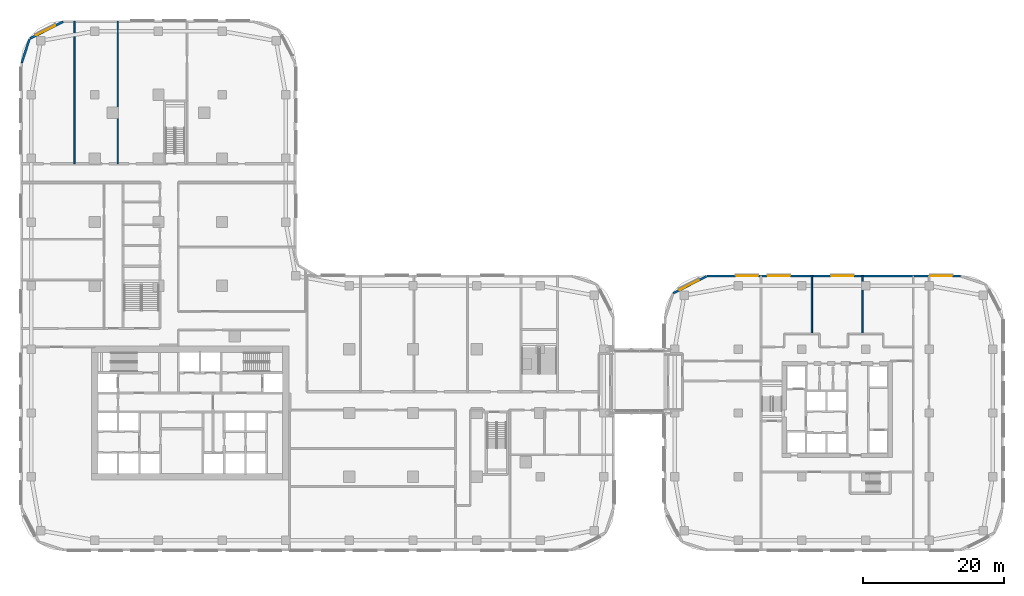
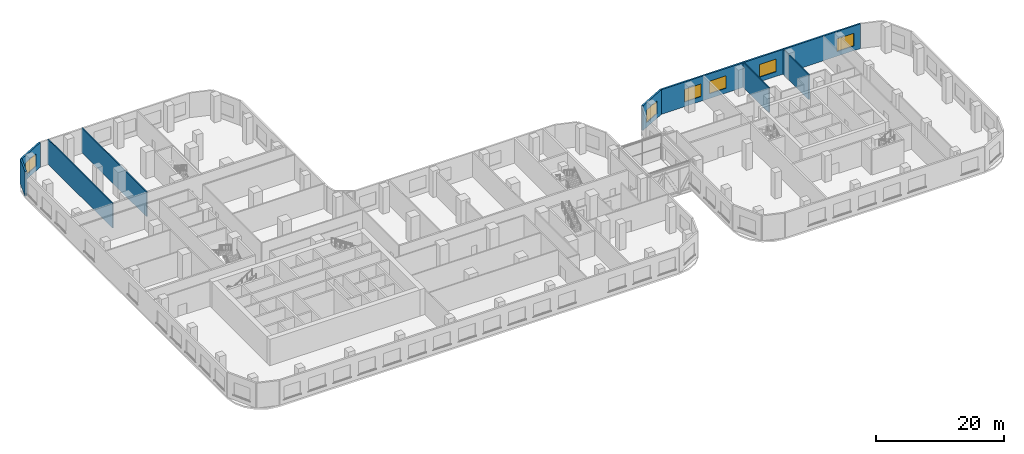
# One storey, part 14 of 35: 8 walls, 6 windows, 6 openings.
"""IFC4 building model written with IfcOpenShell, lengths in metres."""

from ifc_helpers import new_model, si_unit, direction, frame, frame_2d, origin, place, context, subcontext, project, spatial, rectangle, extrude, material, layer, layer_set, type_object, element, fill, save


model = new_model("IFC4")

# Units and contexts
model_context = context("Model", 3, precision=1e-05, world=origin(), true_north=direction((0.0, 1.0)))
body_context = subcontext(model_context, "Body", "Model", "MODEL_VIEW")
ifc_project = project(units=[si_unit("LENGTHUNIT", "METRE"), si_unit("AREAUNIT", "SQUARE_METRE"), si_unit("VOLUMEUNIT", "CUBIC_METRE"), si_unit("PLANEANGLEUNIT", "RADIAN"), si_unit("MASSUNIT", "GRAM", prefix="KILO")], contexts=[model_context])

# Site, building, storey
site_placement = place(None, origin())
site = spatial("IfcSite", under=ifc_project, at=site_placement, CompositionType="ELEMENT")
building_placement = place(site_placement, origin())
building = spatial("IfcBuilding", under=site, at=building_placement, Name="Ogive Portal Towers", CompositionType="ELEMENT")
storey_placement = place(building_placement, frame((0.0, 0.0, 18.5)))
storey = spatial("IfcBuildingStorey", under=building, at=storey_placement, Name="L03", CompositionType="ELEMENT", Elevation=18.5)

# Wall, opening, window
ifc_material_1 = material(Name="Limestone cladding on lightweight block wall", Category="masonry")
ifc_layer_1 = layer(ifc_material_1, 0.300048828125)
ifc_layer_set_1 = layer_set([ifc_layer_1], Name="EXTERNAL WALL 300 STONE")
wall_type_1 = type_object("IfcWallType", Name="EXTERNAL WALL 300 STONE", PredefinedType="SOLIDWALL", material=ifc_layer_set_1)
wall_1_placement = place(storey_placement, frame((27.00390625, 85.833740234375, 0.0), z_axis=(0.0, 0.0, 1.0), x_axis=(-0.890998339455, -0.454006562826, 0.0)))
wall_1 = element("IfcWall", 1, at=wall_1_placement, inside=storey, type_object=wall_type_1, Name="A:L03:f15:w0", PredefinedType="SOLIDWALL", context=body_context, shape_type="SweptSolid", body=[
    extrude(rectangle(XDim=5.251708984375, YDim=0.300048828125, at=frame_2d((2.6259765625, 0.0))), origin(), (0.0, 0.0, 1.0), 4.699951171875),
])
opening_1_placement = place(wall_1_placement, frame((1.223876953125, 0.0, 0.89990234375)))
opening_1 = element("IfcOpeningElement", 2, at=opening_1_placement, cuts=wall_1, Name="Opening WN3", PredefinedType="OPENING", context=body_context, shape_type="SweptSolid", body=[
    extrude(rectangle(XDim=3.0, YDim=2.39990234375, at=frame_2d((1.5, 1.199951171875))), frame((0.0, 0.16015625, 0.0), z_axis=(0.0, -1.0, 0.0), x_axis=(1.0, 0.0, 0.0)), (0.0, 0.0, 1.0), 0.320068359375),
])
ifc_material_2 = material(Name="Glass, clear low-iron insulated glazing", Category="glass")
window_type = type_object("IfcWindowType", Name="WINDOW PODIUM 3000x2400", PartitioningType="SINGLE_PANEL", PredefinedType="WINDOW", material=ifc_material_2)
window_1_placement = place(opening_1_placement, origin())
window_1 = element("IfcWindow", 3, at=window_1_placement, inside=storey, type_object=window_type, Name="A:L03:f15:w0:o0", OverallHeight=2.39990234375, OverallWidth=3.0, PartitioningType="SINGLE_PANEL", PredefinedType="WINDOW", context=body_context, shape_type="SweptSolid", body=[
    extrude(rectangle(XDim=3.0, YDim=2.39990234375, at=frame_2d((1.5, 1.199951171875))), frame((0.0, 0.030029296875, 0.0), z_axis=(0.0, -1.0, 0.0), x_axis=(1.0, 0.0, 0.0)), (0.0, 0.0, 1.0), 0.06005859375),
])
fill(opening_1, window_1)

# Wall
wall_2_placement = place(storey_placement, frame((22.250244140625, 83.362060546875, 0.0), z_axis=(0.0, 0.0, 1.0), x_axis=(-0.309073584194, -0.951038127287, 0.0)))
element("IfcWall", 4, at=wall_2_placement, inside=storey, type_object=wall_type_1, Name="A:L03:f16:w0", PredefinedType="SOLIDWALL", context=body_context, shape_type="SweptSolid", body=[
    extrude(rectangle(XDim=3.536376953125, YDim=0.300048828125, at=frame_2d((1.76806640625, 0.0))), origin(), (0.0, 0.0, 1.0), 4.699951171875),
])

# Wall, openings, windows
wall_3_placement = place(storey_placement, frame((153.952392578125, 49.85009765625, 0.0), z_axis=(0.0, 0.0, 1.0), x_axis=(-1.0, 0.0, 0.0)))
wall_3 = element("IfcWall", 5, at=wall_3_placement, inside=storey, type_object=wall_type_1, Name="B:L03:f08:w0", PredefinedType="SOLIDWALL", context=body_context, shape_type="SweptSolid", body=[
    extrude(rectangle(XDim=35.88037109375, YDim=0.300048828125, at=frame_2d((17.940185546875, 0.0))), origin(), (0.0, 0.0, 1.0), 4.699951171875),
])
opening_2_placement = place(wall_3_placement, frame((1.226318359375, 0.0, 0.89990234375)))
opening_2 = element("IfcOpeningElement", 6, at=opening_2_placement, cuts=wall_3, Name="Opening WN3", PredefinedType="OPENING", context=body_context, shape_type="SweptSolid", body=[
    extrude(rectangle(XDim=3.0, YDim=2.39990234375, at=frame_2d((1.5, 1.199951171875))), frame((0.0, 0.16015625, 0.0), z_axis=(0.0, -1.0, 0.0), x_axis=(1.0, 0.0, 0.0)), (0.0, 0.0, 1.0), 0.320068359375),
])
opening_3_placement = place(wall_3_placement, frame((15.202392578125, 0.0, 0.89990234375)))
opening_3 = element("IfcOpeningElement", 7, at=opening_3_placement, cuts=wall_3, Name="Opening WN3", PredefinedType="OPENING", context=body_context, shape_type="SweptSolid", body=[
    extrude(rectangle(XDim=3.0, YDim=2.39990234375, at=frame_2d((1.5, 1.199951171875))), frame((0.0, 0.16015625, 0.0), z_axis=(0.0, -1.0, 0.0), x_axis=(1.0, 0.0, 0.0)), (0.0, 0.0, 1.0), 0.320068359375),
])
opening_4_placement = place(wall_3_placement, frame((24.202392578125, 0.0, 0.89990234375)))
opening_4 = element("IfcOpeningElement", 8, at=opening_4_placement, cuts=wall_3, Name="Opening WN3", PredefinedType="OPENING", context=body_context, shape_type="SweptSolid", body=[
    extrude(rectangle(XDim=3.0, YDim=2.39990234375, at=frame_2d((1.5, 1.199951171875))), frame((0.0, 0.16015625, 0.0), z_axis=(0.0, -1.0, 0.0), x_axis=(1.0, 0.0, 0.0)), (0.0, 0.0, 1.0), 0.320068359375),
])
opening_5_placement = place(wall_3_placement, frame((28.702392578125, 0.0, 0.89990234375)))
opening_5 = element("IfcOpeningElement", 9, at=opening_5_placement, cuts=wall_3, Name="Opening WN3", PredefinedType="OPENING", context=body_context, shape_type="SweptSolid", body=[
    extrude(rectangle(XDim=3.0, YDim=2.39990234375, at=frame_2d((1.5, 1.199951171875))), frame((0.0, 0.16015625, 0.0), z_axis=(0.0, -1.0, 0.0), x_axis=(1.0, 0.0, 0.0)), (0.0, 0.0, 1.0), 0.320068359375),
])
window_2_placement = place(opening_2_placement, origin())
window_2 = element("IfcWindow", 10, at=window_2_placement, inside=storey, type_object=window_type, Name="B:L03:f08:w0:o0", OverallHeight=2.39990234375, OverallWidth=3.0, PartitioningType="SINGLE_PANEL", PredefinedType="WINDOW", context=body_context, shape_type="SweptSolid", body=[
    extrude(rectangle(XDim=3.0, YDim=2.39990234375, at=frame_2d((1.5, 1.199951171875))), frame((0.0, 0.030029296875, 0.0), z_axis=(0.0, -1.0, 0.0), x_axis=(1.0, 0.0, 0.0)), (0.0, 0.0, 1.0), 0.06005859375),
])
fill(opening_2, window_2)
window_3_placement = place(opening_3_placement, origin())
window_3 = element("IfcWindow", 11, at=window_3_placement, inside=storey, type_object=window_type, Name="B:L03:f08:w0:o2a", OverallHeight=2.39990234375, OverallWidth=3.0, PartitioningType="SINGLE_PANEL", PredefinedType="WINDOW", context=body_context, shape_type="SweptSolid", body=[
    extrude(rectangle(XDim=3.0, YDim=2.39990234375, at=frame_2d((1.5, 1.199951171875))), frame((0.0, 0.030029296875, 0.0), z_axis=(0.0, -1.0, 0.0), x_axis=(1.0, 0.0, 0.0)), (0.0, 0.0, 1.0), 0.06005859375),
])
fill(opening_3, window_3)
window_4_placement = place(opening_4_placement, origin())
window_4 = element("IfcWindow", 12, at=window_4_placement, inside=storey, type_object=window_type, Name="B:L03:f08:w0:o3a", OverallHeight=2.39990234375, OverallWidth=3.0, PartitioningType="SINGLE_PANEL", PredefinedType="WINDOW", context=body_context, shape_type="SweptSolid", body=[
    extrude(rectangle(XDim=3.0, YDim=2.39990234375, at=frame_2d((1.5, 1.199951171875))), frame((0.0, 0.030029296875, 0.0), z_axis=(0.0, -1.0, 0.0), x_axis=(1.0, 0.0, 0.0)), (0.0, 0.0, 1.0), 0.06005859375),
])
fill(opening_4, window_4)
window_5_placement = place(opening_5_placement, origin())
window_5 = element("IfcWindow", 13, at=window_5_placement, inside=storey, type_object=window_type, Name="B:L03:f08:w0:o3b", OverallHeight=2.39990234375, OverallWidth=3.0, PartitioningType="SINGLE_PANEL", PredefinedType="WINDOW", context=body_context, shape_type="SweptSolid", body=[
    extrude(rectangle(XDim=3.0, YDim=2.39990234375, at=frame_2d((1.5, 1.199951171875))), frame((0.0, 0.030029296875, 0.0), z_axis=(0.0, -1.0, 0.0), x_axis=(1.0, 0.0, 0.0)), (0.0, 0.0, 1.0), 0.06005859375),
])
fill(opening_5, window_5)

# Wall, opening, window
wall_4_placement = place(storey_placement, frame((118.00390625, 49.833740234375, 0.0), z_axis=(0.0, 0.0, 1.0), x_axis=(-0.890998339455, -0.454006562826, 0.0)))
wall_4 = element("IfcWall", 14, at=wall_4_placement, inside=storey, type_object=wall_type_1, Name="B:L03:f09:w0", PredefinedType="SOLIDWALL", context=body_context, shape_type="SweptSolid", body=[
    extrude(rectangle(XDim=5.251708984375, YDim=0.300048828125, at=frame_2d((2.6259765625, 0.0))), origin(), (0.0, 0.0, 1.0), 4.699951171875),
])
opening_6_placement = place(wall_4_placement, frame((1.223876953125, 0.0, 0.89990234375)))
opening_6 = element("IfcOpeningElement", 15, at=opening_6_placement, cuts=wall_4, Name="Opening WN3", PredefinedType="OPENING", context=body_context, shape_type="SweptSolid", body=[
    extrude(rectangle(XDim=3.0, YDim=2.39990234375, at=frame_2d((1.5, 1.199951171875))), frame((0.0, 0.16015625, 0.0), z_axis=(0.0, -1.0, 0.0), x_axis=(1.0, 0.0, 0.0)), (0.0, 0.0, 1.0), 0.320068359375),
])
window_6_placement = place(opening_6_placement, origin())
window_6 = element("IfcWindow", 16, at=window_6_placement, inside=storey, type_object=window_type, Name="B:L03:f09:w0:o0", OverallHeight=2.39990234375, OverallWidth=3.0, PartitioningType="SINGLE_PANEL", PredefinedType="WINDOW", context=body_context, shape_type="SweptSolid", body=[
    extrude(rectangle(XDim=3.0, YDim=2.39990234375, at=frame_2d((1.5, 1.199951171875))), frame((0.0, 0.030029296875, 0.0), z_axis=(0.0, -1.0, 0.0), x_axis=(1.0, 0.0, 0.0)), (0.0, 0.0, 1.0), 0.06005859375),
])
fill(opening_6, window_6)

# Walls
ifc_material_3 = material(Name="Gypsum board partition on steel studs", Category="steel")
ifc_layer_2 = layer(ifc_material_3, 0.199951171875)
ifc_layer_set_2 = layer_set([ifc_layer_2], Name="WT-PART-200-EI 60")
wall_type_2 = type_object("IfcWallType", Name="WT-PART-200-EI 60", PredefinedType="PARTITIONING", material=ifc_layer_set_2)
for number, where, z_axis, x_axis, name in (
    (17, (132.9169921875, 41.699951171875, 0.0), (0.0, 0.0, 1.0), (0.0, 1.0, 0.0), "Wall L03:w068"),
    (18, (140.0830078125, 41.699951171875, 0.0), (0.0, 0.0, 1.0), (0.0, 1.0, 0.0), "Wall L03:w074"),
):
    element("IfcWall", number, at=place(storey_placement, frame(where, z_axis=z_axis, x_axis=x_axis)), inside=storey, type_object=wall_type_2, Name=name, PredefinedType="PARTITIONING", context=body_context, shape_type="SweptSolid", body=[
        extrude(rectangle(XDim=8.22998046875, YDim=0.199951171875, at=frame_2d((4.114990234375, 0.0))), origin(), (0.0, 0.0, 1.0), 4.699951171875),
    ])
for number, where, z_axis, x_axis, name in (
    (19, (28.60107421875, 65.75, 0.0), (0.0, 0.0, 1.0), (0.0, 1.0, 0.0), "Wall L03:w081"),
    (20, (34.738037109375, 65.75, 0.0), (0.0, 0.0, 1.0), (0.0, 1.0, 0.0), "Wall L03:w085"),
):
    element("IfcWall", number, at=place(storey_placement, frame(where, z_axis=z_axis, x_axis=x_axis)), inside=storey, type_object=wall_type_2, Name=name, PredefinedType="PARTITIONING", context=body_context, shape_type="SweptSolid", body=[
        extrude(rectangle(XDim=20.179931640625, YDim=0.199951171875, at=frame_2d((10.08984375, 0.0))), origin(), (0.0, 0.0, 1.0), 4.699951171875),
    ])

save(model, "model.ifc")
